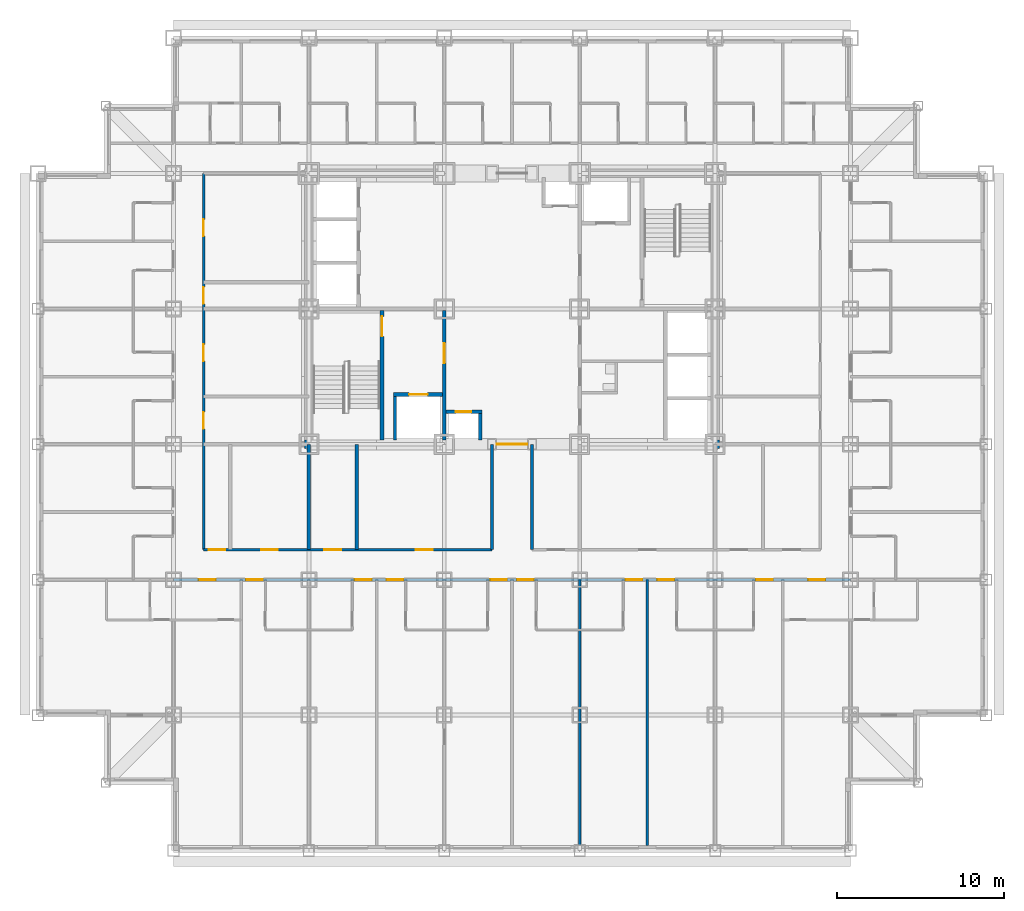
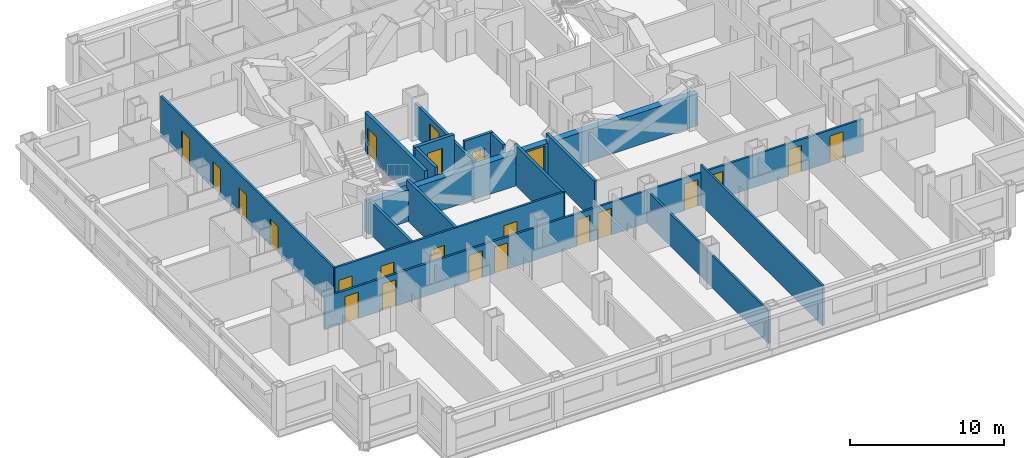
# One storey, part 5 of 13: 23 doors, 16 walls, 23 openings.
"""IFC4 building model written with IfcOpenShell, lengths in metres."""

from ifc_helpers import new_model, si_unit, direction, frame, frame_2d, origin, place, context, subcontext, project, spatial, rectangle, extrude, material, layer, layer_set, type_object, element, fill, save


model = new_model("IFC4")

# Units and contexts
model_context = context("Model", 3, precision=1e-05, world=origin(), true_north=direction((0.0, 1.0)))
body_context = subcontext(model_context, "Body", "Model", "MODEL_VIEW")
ifc_project = project(units=[si_unit("LENGTHUNIT", "METRE"), si_unit("AREAUNIT", "SQUARE_METRE"), si_unit("VOLUMEUNIT", "CUBIC_METRE"), si_unit("PLANEANGLEUNIT", "RADIAN"), si_unit("MASSUNIT", "GRAM", prefix="KILO")], contexts=[model_context])

# Site, building, storey
site_placement = place(None, origin())
site = spatial("IfcSite", under=ifc_project, at=site_placement, CompositionType="ELEMENT")
building_placement = place(site_placement, origin())
building = spatial("IfcBuilding", under=site, at=building_placement, Name="Kopane Lantern Tower", CompositionType="ELEMENT")
storey_placement = place(building_placement, frame((0.0, 0.0, 50.0)))
storey = spatial("IfcBuildingStorey", under=building, at=storey_placement, Name="L11", CompositionType="ELEMENT", Elevation=50.0)

# Wall, opening, door
ifc_material_1 = material(Name="Gypsum shaft wall EI 120", Category="gypsum")
ifc_layer_1 = layer(ifc_material_1, 0.5)
ifc_layer_set_1 = layer_set([ifc_layer_1], Name="CORE PERIMETER WALL 500 EI 120")
wall_type_1 = type_object("IfcWallType", Name="CORE PERIMETER WALL 500 EI 120", PredefinedType="SOLIDWALL", material=ifc_layer_set_1)
wall_1_placement = place(storey_placement, frame((15.949951171875, 24.300048828125, 0.0), z_axis=(0.0, 0.0, 1.0), x_axis=(1.0, 0.0, 0.0)))
wall_1 = element("IfcWall", 1, at=wall_1_placement, inside=storey, type_object=wall_type_1, Name="Core shaft wall L11 PS", PredefinedType="SOLIDWALL", context=body_context, shape_type="SweptSolid", body=[
    extrude(rectangle(XDim=24.800048828125, YDim=0.5, at=frame_2d((12.39990234375, 0.0))), origin(), (0.0, 0.0, 1.0), 2.5400390625),
])
opening_1_placement = place(wall_1_placement, frame((11.5, 0.0, 0.0)))
opening_1 = element("IfcOpeningElement", 2, at=opening_1_placement, cuts=wall_1, Name="Opening 11.CE-S", PredefinedType="OPENING", context=body_context, shape_type="SweptSolid", body=[
    extrude(rectangle(XDim=1.800048828125, YDim=2.39990234375, at=frame_2d((0.89990234375, 1.199951171875))), frame((0.0, 0.260009765625, 0.0), z_axis=(0.0, -1.0, 0.0), x_axis=(1.0, 0.0, 0.0)), (0.0, 0.0, 1.0), 0.52001953125),
])
ifc_material_2 = material(Name="Steel door set", Category="steel")
door_type_1 = type_object("IfcDoorType", Name="CORE ENTRY DOOR 1800x2400 FD60S", OperationType="DOUBLE_DOOR_SINGLE_SWING", PredefinedType="DOOR", material=ifc_material_2)
door_1_placement = place(opening_1_placement, origin())
door_1 = element("IfcDoor", 3, at=door_1_placement, inside=storey, type_object=door_type_1, Name="Core entry door L11 south", OperationType="DOUBLE_DOOR_SINGLE_SWING", OverallHeight=2.39990234375, OverallWidth=1.800048828125, PredefinedType="DOOR", context=body_context, shape_type="SweptSolid", body=[
    extrude(rectangle(XDim=1.800048828125, YDim=2.39990234375, at=frame_2d((0.89990234375, 1.199951171875))), frame((0.0, 0.02490234375, 0.0), z_axis=(0.0, -1.0, 0.0), x_axis=(1.0, 0.0, 0.0)), (0.0, 0.0, 1.0), 0.050048828125),
])
fill(opening_1, door_1)

ifc_material_3 = material(Name="Gypsum shaft wall EI 120", Category="gypsum")
ifc_layer_2 = layer(ifc_material_3, 0.25)
ifc_layer_set_2 = layer_set([ifc_layer_2], Name="CORE SHAFT WALL 250 EI 120")
wall_type_2 = type_object("IfcWallType", Name="CORE SHAFT WALL 250 EI 120", PredefinedType="SOLIDWALL", material=ifc_layer_set_2)
wall_2_placement = place(storey_placement, frame((20.574951171875, 24.550048828125, 0.0), z_axis=(0.0, 0.0, 1.0), x_axis=(0.0, 1.0, 0.0)))
wall_2 = element("IfcWall", 4, at=wall_2_placement, inside=storey, type_object=wall_type_2, Name="Core shaft wall L11 XST1", PredefinedType="SOLIDWALL", context=body_context, shape_type="SweptSolid", body=[
    extrude(rectangle(XDim=7.75, YDim=0.25, at=frame_2d((3.875, 0.0))), origin(), (0.0, 0.0, 1.0), 3.18994140625),
])
opening_2_placement = place(wall_2_placement, frame((6.199951171875, 0.0, 0.0)))
opening_2 = element("IfcOpeningElement", 5, at=opening_2_placement, cuts=wall_2, Name="Opening 11.SD1", PredefinedType="OPENING", context=body_context, shape_type="SweptSolid", body=[
    extrude(rectangle(XDim=1.199951171875, YDim=2.10009765625, at=frame_2d((0.60009765625, 1.050048828125))), frame((0.0, 0.135009765625, 0.0), z_axis=(0.0, -1.0, 0.0), x_axis=(1.0, 0.0, 0.0)), (0.0, 0.0, 1.0), 0.27001953125),
])
ifc_material_4 = material(Name="Steel door set", Category="steel")
door_type_2 = type_object("IfcDoorType", Name="STAIR DOOR 1200x2100 FD60S", OperationType="SINGLE_SWING_LEFT", PredefinedType="DOOR", material=ifc_material_4)
door_2_placement = place(opening_2_placement, origin())
door_2 = element("IfcDoor", 6, at=door_2_placement, inside=storey, type_object=door_type_2, Name="Stair door ST1 L11", OperationType="SINGLE_SWING_LEFT", OverallHeight=2.10009765625, OverallWidth=1.199951171875, PredefinedType="DOOR", context=body_context, shape_type="SweptSolid", body=[
    extrude(rectangle(XDim=1.199951171875, YDim=2.10009765625, at=frame_2d((0.60009765625, 1.050048828125))), frame((0.0, 0.02490234375, 0.0), z_axis=(0.0, -1.0, 0.0), x_axis=(1.0, 0.0, 0.0)), (0.0, 0.0, 1.0), 0.050048828125),
])
fill(opening_2, door_2)

wall_3_placement = place(storey_placement, frame((21.25, 27.27490234375, 0.0), z_axis=(0.0, 0.0, 1.0), x_axis=(1.0, 0.0, 0.0)))
wall_3 = element("IfcWall", 7, at=wall_3_placement, inside=storey, type_object=wall_type_2, Name="Core shaft wall L11 YLF1", PredefinedType="SOLIDWALL", context=body_context, shape_type="SweptSolid", body=[
    extrude(rectangle(XDim=2.949951171875, YDim=0.25, at=frame_2d((1.47509765625, 0.0))), origin(), (0.0, 0.0, 1.0), 3.18994140625),
])
opening_3_placement = place(wall_3_placement, frame((0.949951171875, 0.0, 0.0)))
opening_3 = element("IfcOpeningElement", 8, at=opening_3_placement, cuts=wall_3, Name="Opening 11.LD-LF1", PredefinedType="OPENING", context=body_context, shape_type="SweptSolid", body=[
    extrude(rectangle(XDim=1.10009765625, YDim=2.39990234375, at=frame_2d((0.550048828125, 1.199951171875))), frame((0.0, 0.135009765625, 0.0), z_axis=(0.0, -1.0, 0.0), x_axis=(1.0, 0.0, 0.0)), (0.0, 0.0, 1.0), 0.27001953125),
])
ifc_material_5 = material(Name="Steel door set", Category="steel")
door_type_3 = type_object("IfcDoorType", Name="LIFT LANDING DOOR 1100x2400 FD60", OperationType="DOUBLE_DOOR_SLIDING", PredefinedType="DOOR", material=ifc_material_5)
door_3_placement = place(opening_3_placement, origin())
door_3 = element("IfcDoor", 9, at=door_3_placement, inside=storey, type_object=door_type_3, Name="Landing door LF1 L11", OperationType="DOUBLE_DOOR_SLIDING", OverallHeight=2.39990234375, OverallWidth=1.10009765625, PredefinedType="DOOR", context=body_context, shape_type="SweptSolid", body=[
    extrude(rectangle(XDim=1.10009765625, YDim=2.39990234375, at=frame_2d((0.550048828125, 1.199951171875))), frame((0.0, 0.02490234375, 0.0), z_axis=(0.0, -1.0, 0.0), x_axis=(1.0, 0.0, 0.0)), (0.0, 0.0, 1.0), 0.050048828125),
])
fill(opening_3, door_3)

# Wall, openings, doors
ifc_material_6 = material(Name="Gypsum board on steel studs", Category="steel")
ifc_layer_3 = layer(ifc_material_6, 0.14990234375)
ifc_layer_set_3 = layer_set([ifc_layer_3], Name="CORRIDOR WALL 150 EI 60")
wall_type_3 = type_object("IfcWallType", Name="CORRIDOR WALL 150 EI 60", PredefinedType="PARTITIONING", material=ifc_layer_set_3)
wall_4_placement = place(storey_placement, frame((8.10009765625, 16.199951171875, 0.0), z_axis=(0.0, 0.0, 1.0), x_axis=(1.0, 0.0, 0.0)))
wall_4 = element("IfcWall", 10, at=wall_4_placement, inside=storey, type_object=wall_type_3, Name="Corridor Wall 150 Ei 60 L11", PredefinedType="PARTITIONING", context=body_context, shape_type="SweptSolid", body=[
    extrude(rectangle(XDim=40.5, YDim=0.14990234375, at=frame_2d((20.25, 0.0))), origin(), (0.0, 0.0, 1.0), 2.577880859375),
])
opening_4_placement = place(wall_4_placement, frame((4.35009765625, 0.0, 0.0)))
opening_4 = element("IfcOpeningElement", 11, at=opening_4_placement, cuts=wall_4, Name="Opening L11-017", PredefinedType="OPENING", context=body_context, shape_type="SweptSolid", body=[
    extrude(rectangle(XDim=1.0, YDim=2.10009765625, at=frame_2d((0.5, 1.050048828125))), frame((0.0, 0.0849609375, 0.0), z_axis=(0.0, -1.0, 0.0), x_axis=(1.0, 0.0, 0.0)), (0.0, 0.0, 1.0), 0.169921875),
])
opening_5_placement = place(wall_4_placement, frame((10.85009765625, 0.0, 0.0)))
opening_5 = element("IfcOpeningElement", 12, at=opening_5_placement, cuts=wall_4, Name="Opening L11-019", PredefinedType="OPENING", context=body_context, shape_type="SweptSolid", body=[
    extrude(rectangle(XDim=1.0, YDim=2.10009765625, at=frame_2d((0.5, 1.050048828125))), frame((0.0, 0.0849609375, 0.0), z_axis=(0.0, -1.0, 0.0), x_axis=(1.0, 0.0, 0.0)), (0.0, 0.0, 1.0), 0.169921875),
])
opening_6_placement = place(wall_4_placement, frame((12.75, 0.0, 0.0)))
opening_6 = element("IfcOpeningElement", 13, at=opening_6_placement, cuts=wall_4, Name="Opening L11-021", PredefinedType="OPENING", context=body_context, shape_type="SweptSolid", body=[
    extrude(rectangle(XDim=1.0, YDim=2.10009765625, at=frame_2d((0.5, 1.050048828125))), frame((0.0, 0.0849609375, 0.0), z_axis=(0.0, -1.0, 0.0), x_axis=(1.0, 0.0, 0.0)), (0.0, 0.0, 1.0), 0.169921875),
])
opening_7_placement = place(wall_4_placement, frame((18.949951171875, 0.0, 0.0)))
opening_7 = element("IfcOpeningElement", 14, at=opening_7_placement, cuts=wall_4, Name="Opening L11-023", PredefinedType="OPENING", context=body_context, shape_type="SweptSolid", body=[
    extrude(rectangle(XDim=1.0, YDim=2.10009765625, at=frame_2d((0.5, 1.050048828125))), frame((0.0, 0.0849609375, 0.0), z_axis=(0.0, -1.0, 0.0), x_axis=(1.0, 0.0, 0.0)), (0.0, 0.0, 1.0), 0.169921875),
])
opening_8_placement = place(wall_4_placement, frame((20.550048828125, 0.0, 0.0)))
opening_8 = element("IfcOpeningElement", 15, at=opening_8_placement, cuts=wall_4, Name="Opening L11-026", PredefinedType="OPENING", context=body_context, shape_type="SweptSolid", body=[
    extrude(rectangle(XDim=1.0, YDim=2.10009765625, at=frame_2d((0.5, 1.050048828125))), frame((0.0, 0.0849609375, 0.0), z_axis=(0.0, -1.0, 0.0), x_axis=(1.0, 0.0, 0.0)), (0.0, 0.0, 1.0), 0.169921875),
])
opening_9_placement = place(wall_4_placement, frame((27.050048828125, 0.0, 0.0)))
opening_9 = element("IfcOpeningElement", 16, at=opening_9_placement, cuts=wall_4, Name="Opening L11-028", PredefinedType="OPENING", context=body_context, shape_type="SweptSolid", body=[
    extrude(rectangle(XDim=1.0, YDim=2.10009765625, at=frame_2d((0.5, 1.050048828125))), frame((0.0, 0.0849609375, 0.0), z_axis=(0.0, -1.0, 0.0), x_axis=(1.0, 0.0, 0.0)), (0.0, 0.0, 1.0), 0.169921875),
])
opening_10_placement = place(wall_4_placement, frame((28.949951171875, 0.0, 0.0)))
opening_10 = element("IfcOpeningElement", 17, at=opening_10_placement, cuts=wall_4, Name="Opening L11-030", PredefinedType="OPENING", context=body_context, shape_type="SweptSolid", body=[
    extrude(rectangle(XDim=1.0, YDim=2.10009765625, at=frame_2d((0.5, 1.050048828125))), frame((0.0, 0.0849609375, 0.0), z_axis=(0.0, -1.0, 0.0), x_axis=(1.0, 0.0, 0.0)), (0.0, 0.0, 1.0), 0.169921875),
])
opening_11_placement = place(wall_4_placement, frame((34.85009765625, 0.0, 0.0)))
opening_11 = element("IfcOpeningElement", 18, at=opening_11_placement, cuts=wall_4, Name="Opening L11-032", PredefinedType="OPENING", context=body_context, shape_type="SweptSolid", body=[
    extrude(rectangle(XDim=1.0, YDim=2.10009765625, at=frame_2d((0.5, 1.050048828125))), frame((0.0, 0.0849609375, 0.0), z_axis=(0.0, -1.0, 0.0), x_axis=(1.0, 0.0, 0.0)), (0.0, 0.0, 1.0), 0.169921875),
])
opening_12_placement = place(wall_4_placement, frame((1.52490234375, 0.0, 0.0)))
opening_12 = element("IfcOpeningElement", 19, at=opening_12_placement, cuts=wall_4, Name="Opening L11-073", PredefinedType="OPENING", context=body_context, shape_type="SweptSolid", body=[
    extrude(rectangle(XDim=1.0, YDim=2.10009765625, at=frame_2d((0.5, 1.050048828125))), frame((0.0, 0.0849609375, 0.0), z_axis=(0.0, -1.0, 0.0), x_axis=(1.0, 0.0, 0.0)), (0.0, 0.0, 1.0), 0.169921875),
])
opening_13_placement = place(wall_4_placement, frame((37.97509765625, 0.0, 0.0)))
opening_13 = element("IfcOpeningElement", 20, at=opening_13_placement, cuts=wall_4, Name="Opening L11-078", PredefinedType="OPENING", context=body_context, shape_type="SweptSolid", body=[
    extrude(rectangle(XDim=1.0, YDim=2.10009765625, at=frame_2d((0.5, 1.050048828125))), frame((0.0, 0.0849609375, 0.0), z_axis=(0.0, -1.0, 0.0), x_axis=(1.0, 0.0, 0.0)), (0.0, 0.0, 1.0), 0.169921875),
])
ifc_material_7 = material(Name="Steel door set", Category="steel")
door_type_4 = type_object("IfcDoorType", Name="DOOR D1 1000x2100 FD30S", OperationType="SINGLE_SWING_LEFT", PredefinedType="DOOR", material=ifc_material_7)
door_4_placement = place(opening_4_placement, origin())
door_4 = element("IfcDoor", 21, at=door_4_placement, inside=storey, type_object=door_type_4, Name="Door L11-017", OperationType="SINGLE_SWING_LEFT", OverallHeight=2.10009765625, OverallWidth=1.0, PredefinedType="DOOR", context=body_context, shape_type="SweptSolid", body=[
    extrude(rectangle(XDim=1.0, YDim=2.10009765625, at=frame_2d((0.5, 1.050048828125))), frame((0.0, 0.02490234375, 0.0), z_axis=(0.0, -1.0, 0.0), x_axis=(1.0, 0.0, 0.0)), (0.0, 0.0, 1.0), 0.050048828125),
])
fill(opening_4, door_4)
door_5_placement = place(opening_5_placement, origin())
door_5 = element("IfcDoor", 22, at=door_5_placement, inside=storey, type_object=door_type_4, Name="Door L11-019", OperationType="SINGLE_SWING_RIGHT", OverallHeight=2.10009765625, OverallWidth=1.0, PredefinedType="DOOR", context=body_context, shape_type="SweptSolid", body=[
    extrude(rectangle(XDim=1.0, YDim=2.10009765625, at=frame_2d((0.5, 1.050048828125))), frame((0.0, 0.02490234375, 0.0), z_axis=(0.0, -1.0, 0.0), x_axis=(1.0, 0.0, 0.0)), (0.0, 0.0, 1.0), 0.050048828125),
])
fill(opening_5, door_5)
door_6_placement = place(opening_6_placement, origin())
door_6 = element("IfcDoor", 23, at=door_6_placement, inside=storey, type_object=door_type_4, Name="Door L11-021", OperationType="SINGLE_SWING_LEFT", OverallHeight=2.10009765625, OverallWidth=1.0, PredefinedType="DOOR", context=body_context, shape_type="SweptSolid", body=[
    extrude(rectangle(XDim=1.0, YDim=2.10009765625, at=frame_2d((0.5, 1.050048828125))), frame((0.0, 0.02490234375, 0.0), z_axis=(0.0, -1.0, 0.0), x_axis=(1.0, 0.0, 0.0)), (0.0, 0.0, 1.0), 0.050048828125),
])
fill(opening_6, door_6)
door_7_placement = place(opening_7_placement, origin())
door_7 = element("IfcDoor", 24, at=door_7_placement, inside=storey, type_object=door_type_4, Name="Door L11-023", OperationType="SINGLE_SWING_RIGHT", OverallHeight=2.10009765625, OverallWidth=1.0, PredefinedType="DOOR", context=body_context, shape_type="SweptSolid", body=[
    extrude(rectangle(XDim=1.0, YDim=2.10009765625, at=frame_2d((0.5, 1.050048828125))), frame((0.0, 0.02490234375, 0.0), z_axis=(0.0, -1.0, 0.0), x_axis=(1.0, 0.0, 0.0)), (0.0, 0.0, 1.0), 0.050048828125),
])
fill(opening_7, door_7)
door_8_placement = place(opening_8_placement, origin())
door_8 = element("IfcDoor", 25, at=door_8_placement, inside=storey, type_object=door_type_4, Name="Door L11-026", OperationType="SINGLE_SWING_LEFT", OverallHeight=2.10009765625, OverallWidth=1.0, PredefinedType="DOOR", context=body_context, shape_type="SweptSolid", body=[
    extrude(rectangle(XDim=1.0, YDim=2.10009765625, at=frame_2d((0.5, 1.050048828125))), frame((0.0, 0.02490234375, 0.0), z_axis=(0.0, -1.0, 0.0), x_axis=(1.0, 0.0, 0.0)), (0.0, 0.0, 1.0), 0.050048828125),
])
fill(opening_8, door_8)
door_9_placement = place(opening_9_placement, origin())
door_9 = element("IfcDoor", 26, at=door_9_placement, inside=storey, type_object=door_type_4, Name="Door L11-028", OperationType="SINGLE_SWING_RIGHT", OverallHeight=2.10009765625, OverallWidth=1.0, PredefinedType="DOOR", context=body_context, shape_type="SweptSolid", body=[
    extrude(rectangle(XDim=1.0, YDim=2.10009765625, at=frame_2d((0.5, 1.050048828125))), frame((0.0, 0.02490234375, 0.0), z_axis=(0.0, -1.0, 0.0), x_axis=(1.0, 0.0, 0.0)), (0.0, 0.0, 1.0), 0.050048828125),
])
fill(opening_9, door_9)
door_10_placement = place(opening_10_placement, origin())
door_10 = element("IfcDoor", 27, at=door_10_placement, inside=storey, type_object=door_type_4, Name="Door L11-030", OperationType="SINGLE_SWING_LEFT", OverallHeight=2.10009765625, OverallWidth=1.0, PredefinedType="DOOR", context=body_context, shape_type="SweptSolid", body=[
    extrude(rectangle(XDim=1.0, YDim=2.10009765625, at=frame_2d((0.5, 1.050048828125))), frame((0.0, 0.02490234375, 0.0), z_axis=(0.0, -1.0, 0.0), x_axis=(1.0, 0.0, 0.0)), (0.0, 0.0, 1.0), 0.050048828125),
])
fill(opening_10, door_10)
door_11_placement = place(opening_11_placement, origin())
door_11 = element("IfcDoor", 28, at=door_11_placement, inside=storey, type_object=door_type_4, Name="Door L11-032", OperationType="SINGLE_SWING_RIGHT", OverallHeight=2.10009765625, OverallWidth=1.0, PredefinedType="DOOR", context=body_context, shape_type="SweptSolid", body=[
    extrude(rectangle(XDim=1.0, YDim=2.10009765625, at=frame_2d((0.5, 1.050048828125))), frame((0.0, 0.02490234375, 0.0), z_axis=(0.0, -1.0, 0.0), x_axis=(1.0, 0.0, 0.0)), (0.0, 0.0, 1.0), 0.050048828125),
])
fill(opening_11, door_11)
door_12_placement = place(opening_12_placement, origin())
door_12 = element("IfcDoor", 29, at=door_12_placement, inside=storey, type_object=door_type_4, Name="Door L11-073", OperationType="SINGLE_SWING_LEFT", OverallHeight=2.10009765625, OverallWidth=1.0, PredefinedType="DOOR", context=body_context, shape_type="SweptSolid", body=[
    extrude(rectangle(XDim=1.0, YDim=2.10009765625, at=frame_2d((0.5, 1.050048828125))), frame((0.0, 0.02490234375, 0.0), z_axis=(0.0, -1.0, 0.0), x_axis=(1.0, 0.0, 0.0)), (0.0, 0.0, 1.0), 0.050048828125),
])
fill(opening_12, door_12)
door_13_placement = place(opening_13_placement, origin())
door_13 = element("IfcDoor", 30, at=door_13_placement, inside=storey, type_object=door_type_4, Name="Door L11-078", OperationType="SINGLE_SWING_RIGHT", OverallHeight=2.10009765625, OverallWidth=1.0, PredefinedType="DOOR", context=body_context, shape_type="SweptSolid", body=[
    extrude(rectangle(XDim=1.0, YDim=2.10009765625, at=frame_2d((0.5, 1.050048828125))), frame((0.0, 0.02490234375, 0.0), z_axis=(0.0, -1.0, 0.0), x_axis=(1.0, 0.0, 0.0)), (0.0, 0.0, 1.0), 0.050048828125),
])
fill(opening_13, door_13)

wall_5_placement = place(storey_placement, frame((9.89990234375, 40.5, 0.0), z_axis=(0.0, 0.0, 1.0), x_axis=(0.0, -1.0, 0.0)))
wall_5 = element("IfcWall", 31, at=wall_5_placement, inside=storey, type_object=wall_type_3, Name="Corridor Wall 150 Ei 60 L11", PredefinedType="PARTITIONING", context=body_context, shape_type="SweptSolid", body=[
    extrude(rectangle(XDim=22.5, YDim=0.14990234375, at=frame_2d((11.25, 0.0))), origin(), (0.0, 0.0, 1.0), 3.18994140625),
])
opening_14_placement = place(wall_5_placement, frame((14.271484375, 0.0, 0.0)))
opening_14 = element("IfcOpeningElement", 32, at=opening_14_placement, cuts=wall_5, Name="Opening L11-001", PredefinedType="OPENING", context=body_context, shape_type="SweptSolid", body=[
    extrude(rectangle(XDim=1.0, YDim=2.10009765625, at=frame_2d((0.5, 1.050048828125))), frame((0.0, 0.0849609375, 0.0), z_axis=(0.0, -1.0, 0.0), x_axis=(1.0, 0.0, 0.0)), (0.0, 0.0, 1.0), 0.169921875),
])
opening_15_placement = place(wall_5_placement, frame((10.221435546875, 0.0, 0.0)))
opening_15 = element("IfcOpeningElement", 33, at=opening_15_placement, cuts=wall_5, Name="Opening L11-002", PredefinedType="OPENING", context=body_context, shape_type="SweptSolid", body=[
    extrude(rectangle(XDim=1.0, YDim=2.10009765625, at=frame_2d((0.5, 1.050048828125))), frame((0.0, 0.0849609375, 0.0), z_axis=(0.0, -1.0, 0.0), x_axis=(1.0, 0.0, 0.0)), (0.0, 0.0, 1.0), 0.169921875),
])
opening_16_placement = place(wall_5_placement, frame((6.800048828125, 0.0, 0.0)))
opening_16 = element("IfcOpeningElement", 34, at=opening_16_placement, cuts=wall_5, Name="Opening L11-003", PredefinedType="OPENING", context=body_context, shape_type="SweptSolid", body=[
    extrude(rectangle(XDim=1.0, YDim=2.10009765625, at=frame_2d((0.5, 1.050048828125))), frame((0.0, 0.0849609375, 0.0), z_axis=(0.0, -1.0, 0.0), x_axis=(1.0, 0.0, 0.0)), (0.0, 0.0, 1.0), 0.169921875),
])
opening_17_placement = place(wall_5_placement, frame((2.75, 0.0, 0.0)))
opening_17 = element("IfcOpeningElement", 35, at=opening_17_placement, cuts=wall_5, Name="Opening L11-004", PredefinedType="OPENING", context=body_context, shape_type="SweptSolid", body=[
    extrude(rectangle(XDim=1.0, YDim=2.10009765625, at=frame_2d((0.5, 1.050048828125))), frame((0.0, 0.0849609375, 0.0), z_axis=(0.0, -1.0, 0.0), x_axis=(1.0, 0.0, 0.0)), (0.0, 0.0, 1.0), 0.169921875),
])
ifc_material_8 = material(Name="Steel door set", Category="steel")
door_type_5 = type_object("IfcDoorType", Name="DOOR D5 1000x2100 FD60", OperationType="SINGLE_SWING_LEFT", PredefinedType="DOOR", material=ifc_material_8)
door_14_placement = place(opening_14_placement, origin())
door_14 = element("IfcDoor", 36, at=door_14_placement, inside=storey, type_object=door_type_5, Name="Door L11-001", OperationType="SINGLE_SWING_RIGHT", OverallHeight=2.10009765625, OverallWidth=1.0, PredefinedType="DOOR", context=body_context, shape_type="SweptSolid", body=[
    extrude(rectangle(XDim=1.0, YDim=2.10009765625, at=frame_2d((0.5, 1.050048828125))), frame((0.0, 0.02490234375, 0.0), z_axis=(0.0, -1.0, 0.0), x_axis=(1.0, 0.0, 0.0)), (0.0, 0.0, 1.0), 0.050048828125),
])
fill(opening_14, door_14)
door_15_placement = place(opening_15_placement, origin())
door_15 = element("IfcDoor", 37, at=door_15_placement, inside=storey, type_object=door_type_5, Name="Door L11-002", OperationType="SINGLE_SWING_LEFT", OverallHeight=2.10009765625, OverallWidth=1.0, PredefinedType="DOOR", context=body_context, shape_type="SweptSolid", body=[
    extrude(rectangle(XDim=1.0, YDim=2.10009765625, at=frame_2d((0.5, 1.050048828125))), frame((0.0, 0.02490234375, 0.0), z_axis=(0.0, -1.0, 0.0), x_axis=(1.0, 0.0, 0.0)), (0.0, 0.0, 1.0), 0.050048828125),
])
fill(opening_15, door_15)
door_16_placement = place(opening_16_placement, origin())
door_16 = element("IfcDoor", 38, at=door_16_placement, inside=storey, type_object=door_type_5, Name="Door L11-003", OperationType="SINGLE_SWING_RIGHT", OverallHeight=2.10009765625, OverallWidth=1.0, PredefinedType="DOOR", context=body_context, shape_type="SweptSolid", body=[
    extrude(rectangle(XDim=1.0, YDim=2.10009765625, at=frame_2d((0.5, 1.050048828125))), frame((0.0, 0.02490234375, 0.0), z_axis=(0.0, -1.0, 0.0), x_axis=(1.0, 0.0, 0.0)), (0.0, 0.0, 1.0), 0.050048828125),
])
fill(opening_16, door_16)
door_17_placement = place(opening_17_placement, origin())
door_17 = element("IfcDoor", 39, at=door_17_placement, inside=storey, type_object=door_type_5, Name="Door L11-004", OperationType="SINGLE_SWING_LEFT", OverallHeight=2.10009765625, OverallWidth=1.0, PredefinedType="DOOR", context=body_context, shape_type="SweptSolid", body=[
    extrude(rectangle(XDim=1.0, YDim=2.10009765625, at=frame_2d((0.5, 1.050048828125))), frame((0.0, 0.02490234375, 0.0), z_axis=(0.0, -1.0, 0.0), x_axis=(1.0, 0.0, 0.0)), (0.0, 0.0, 1.0), 0.050048828125),
])
fill(opening_17, door_17)

wall_6_placement = place(storey_placement, frame((9.89990234375, 18.0, 0.0), z_axis=(0.0, 0.0, 1.0), x_axis=(1.0, 0.0, 0.0)))
wall_6 = element("IfcWall", 40, at=wall_6_placement, inside=storey, type_object=wall_type_3, Name="Corridor Wall 150 Ei 60 L11", PredefinedType="PARTITIONING", context=body_context, shape_type="SweptSolid", body=[
    extrude(rectangle(XDim=17.239990234375, YDim=0.14990234375, at=frame_2d((8.6201171875, 0.0))), origin(), (0.0, 0.0, 1.0), 3.18994140625),
])
opening_18_placement = place(wall_6_placement, frame((0.300048828125, 0.0, 0.0)))
opening_18 = element("IfcOpeningElement", 41, at=opening_18_placement, cuts=wall_6, Name="Opening L11-008", PredefinedType="OPENING", context=body_context, shape_type="SweptSolid", body=[
    extrude(rectangle(XDim=1.0, YDim=2.10009765625, at=frame_2d((0.5, 1.050048828125))), frame((0.0, 0.0849609375, 0.0), z_axis=(0.0, -1.0, 0.0), x_axis=(1.0, 0.0, 0.0)), (0.0, 0.0, 1.0), 0.169921875),
])
opening_19_placement = place(wall_6_placement, frame((3.449951171875, 0.0, 0.0)))
opening_19 = element("IfcOpeningElement", 42, at=opening_19_placement, cuts=wall_6, Name="Opening L11-009", PredefinedType="OPENING", context=body_context, shape_type="SweptSolid", body=[
    extrude(rectangle(XDim=1.0, YDim=2.10009765625, at=frame_2d((0.5, 1.050048828125))), frame((0.0, 0.0849609375, 0.0), z_axis=(0.0, -1.0, 0.0), x_axis=(1.0, 0.0, 0.0)), (0.0, 0.0, 1.0), 0.169921875),
])
opening_20_placement = place(wall_6_placement, frame((7.228515625, 0.0, 0.0)))
opening_20 = element("IfcOpeningElement", 43, at=opening_20_placement, cuts=wall_6, Name="Opening L11-010", PredefinedType="OPENING", context=body_context, shape_type="SweptSolid", body=[
    extrude(rectangle(XDim=1.0, YDim=2.10009765625, at=frame_2d((0.5, 1.050048828125))), frame((0.0, 0.0849609375, 0.0), z_axis=(0.0, -1.0, 0.0), x_axis=(1.0, 0.0, 0.0)), (0.0, 0.0, 1.0), 0.169921875),
])
opening_21_placement = place(wall_6_placement, frame((12.70361328125, 0.0, 0.0)))
opening_21 = element("IfcOpeningElement", 44, at=opening_21_placement, cuts=wall_6, Name="Opening L11-011", PredefinedType="OPENING", context=body_context, shape_type="SweptSolid", body=[
    extrude(rectangle(XDim=1.0, YDim=2.10009765625, at=frame_2d((0.5, 1.050048828125))), frame((0.0, 0.0849609375, 0.0), z_axis=(0.0, -1.0, 0.0), x_axis=(1.0, 0.0, 0.0)), (0.0, 0.0, 1.0), 0.169921875),
])
door_18_placement = place(opening_18_placement, origin())
door_18 = element("IfcDoor", 45, at=door_18_placement, inside=storey, type_object=door_type_5, Name="Door L11-008", OperationType="SINGLE_SWING_LEFT", OverallHeight=2.10009765625, OverallWidth=1.0, PredefinedType="DOOR", context=body_context, shape_type="SweptSolid", body=[
    extrude(rectangle(XDim=1.0, YDim=2.10009765625, at=frame_2d((0.5, 1.050048828125))), frame((0.0, 0.02490234375, 0.0), z_axis=(0.0, -1.0, 0.0), x_axis=(1.0, 0.0, 0.0)), (0.0, 0.0, 1.0), 0.050048828125),
])
fill(opening_18, door_18)
door_19_placement = place(opening_19_placement, origin())
door_19 = element("IfcDoor", 46, at=door_19_placement, inside=storey, type_object=door_type_5, Name="Door L11-009", OperationType="SINGLE_SWING_RIGHT", OverallHeight=2.10009765625, OverallWidth=1.0, PredefinedType="DOOR", context=body_context, shape_type="SweptSolid", body=[
    extrude(rectangle(XDim=1.0, YDim=2.10009765625, at=frame_2d((0.5, 1.050048828125))), frame((0.0, 0.02490234375, 0.0), z_axis=(0.0, -1.0, 0.0), x_axis=(1.0, 0.0, 0.0)), (0.0, 0.0, 1.0), 0.050048828125),
])
fill(opening_19, door_19)
door_20_placement = place(opening_20_placement, origin())
door_20 = element("IfcDoor", 47, at=door_20_placement, inside=storey, type_object=door_type_5, Name="Door L11-010", OperationType="SINGLE_SWING_LEFT", OverallHeight=2.10009765625, OverallWidth=1.0, PredefinedType="DOOR", context=body_context, shape_type="SweptSolid", body=[
    extrude(rectangle(XDim=1.0, YDim=2.10009765625, at=frame_2d((0.5, 1.050048828125))), frame((0.0, 0.02490234375, 0.0), z_axis=(0.0, -1.0, 0.0), x_axis=(1.0, 0.0, 0.0)), (0.0, 0.0, 1.0), 0.050048828125),
])
fill(opening_20, door_20)
door_21_placement = place(opening_21_placement, origin())
door_21 = element("IfcDoor", 48, at=door_21_placement, inside=storey, type_object=door_type_5, Name="Door L11-011", OperationType="SINGLE_SWING_RIGHT", OverallHeight=2.10009765625, OverallWidth=1.0, PredefinedType="DOOR", context=body_context, shape_type="SweptSolid", body=[
    extrude(rectangle(XDim=1.0, YDim=2.10009765625, at=frame_2d((0.5, 1.050048828125))), frame((0.0, 0.02490234375, 0.0), z_axis=(0.0, -1.0, 0.0), x_axis=(1.0, 0.0, 0.0)), (0.0, 0.0, 1.0), 0.050048828125),
])
fill(opening_21, door_21)

# Walls
ifc_material_9 = material(Name="Gypsum board on steel studs", Category="steel")
ifc_layer_4 = layer(ifc_material_9, 0.14990234375)
ifc_layer_set_4 = layer_set([ifc_layer_4], Name="DEMISING WALL 150 EI 60")
wall_type_4 = type_object("IfcWallType", Name="DEMISING WALL 150 EI 60", PredefinedType="PARTITIONING", material=ifc_layer_set_4)
wall_7_placement = place(storey_placement, frame((32.39990234375, 16.199951171875, 0.0), z_axis=(0.0, 0.0, 1.0), x_axis=(0.0, -1.0, 0.0)))
element("IfcWall", 49, at=wall_7_placement, inside=storey, type_object=wall_type_4, Name="Demising Wall 150 Ei 60 L11", PredefinedType="PARTITIONING", context=body_context, shape_type="SweptSolid", body=[
    extrude(rectangle(XDim=15.89990234375, YDim=0.14990234375, at=frame_2d((7.949951171875, 0.0))), origin(), (0.0, 0.0, 1.0), 2.577880859375),
])
wall_8_placement = place(storey_placement, frame((36.449951171875, 16.199951171875, 0.0), z_axis=(0.0, 0.0, 1.0), x_axis=(0.0, -1.0, 0.0)))
element("IfcWall", 50, at=wall_8_placement, inside=storey, type_object=wall_type_4, Name="Demising Wall 150 Ei 60 L11", PredefinedType="PARTITIONING", context=body_context, shape_type="SweptSolid", body=[
    extrude(rectangle(XDim=15.89990234375, YDim=0.14990234375, at=frame_2d((7.949951171875, 0.0))), origin(), (0.0, 0.0, 1.0), 3.18994140625),
])
ifc_material_10 = material(Name="Concrete masonry", Category="masonry")
ifc_layer_5 = layer(ifc_material_10, 0.199951171875)
ifc_layer_set_5 = layer_set([ifc_layer_5], Name="PLANT ROOM WALL 200 EI 120")
wall_type_5 = type_object("IfcWallType", Name="PLANT ROOM WALL 200 EI 120", PredefinedType="SOLIDWALL", material=ifc_layer_set_5)
wall_9_placement = place(storey_placement, frame((16.199951171875, 18.0, 0.0), z_axis=(0.0, 0.0, 1.0), x_axis=(0.0, 1.0, 0.0)))
element("IfcWall", 51, at=wall_9_placement, inside=storey, type_object=wall_type_5, Name="Plant Room Wall 200 Ei 120 L11", PredefinedType="SOLIDWALL", context=body_context, shape_type="SweptSolid", body=[
    extrude(rectangle(XDim=6.300048828125, YDim=0.199951171875, at=frame_2d((3.14990234375, 0.0))), origin(), (0.0, 0.0, 1.0), 2.577880859375),
])
for number, where, z_axis, x_axis, name in (
    (52, (19.05712890625, 18.0, 0.0), (0.0, 0.0, 1.0), (0.0, 1.0, 0.0), "Plant Room Wall 200 Ei 120 L11"),
    (53, (27.14990234375, 18.0, 0.0), (0.0, 0.0, 1.0), (0.0, 1.0, 0.0), "Plant Room Wall 200 Ei 120 L11"),
    (54, (29.550048828125, 18.0, 0.0), (0.0, 0.0, 1.0), (0.0, 1.0, 0.0), "Plant Room Wall 200 Ei 120 L11"),
):
    element("IfcWall", number, at=place(storey_placement, frame(where, z_axis=z_axis, x_axis=x_axis)), inside=storey, type_object=wall_type_5, Name=name, PredefinedType="SOLIDWALL", context=body_context, shape_type="SweptSolid", body=[
        extrude(rectangle(XDim=6.300048828125, YDim=0.199951171875, at=frame_2d((3.14990234375, 0.0))), origin(), (0.0, 0.0, 1.0), 3.18994140625),
    ])

# Wall, opening, door
ifc_material_11 = material(Name="Gypsum shaft wall EI 120", Category="gypsum")
ifc_layer_6 = layer(ifc_material_11, 0.199951171875)
ifc_layer_set_6 = layer_set([ifc_layer_6], Name="SHAFT WALL 200 EI 120")
wall_type_6 = type_object("IfcWallType", Name="SHAFT WALL 200 EI 120", PredefinedType="SOLIDWALL", material=ifc_layer_set_6)
wall_10_placement = place(storey_placement, frame((24.300048828125, 24.550048828125, 0.0), z_axis=(0.0, 0.0, 1.0), x_axis=(0.0, 1.0, 0.0)))
wall_10 = element("IfcWall", 55, at=wall_10_placement, inside=storey, type_object=wall_type_6, Name="Core shaft wall L11 X243", PredefinedType="SOLIDWALL", context=body_context, shape_type="SweptSolid", body=[
    extrude(rectangle(XDim=7.75, YDim=0.199951171875, at=frame_2d((3.875, 0.0))), origin(), (0.0, 0.0, 1.0), 2.577880859375),
])
opening_22_placement = place(wall_10_placement, frame((4.60009765625, 0.0, 0.0)))
opening_22 = element("IfcOpeningElement", 56, at=opening_22_placement, cuts=wall_10, Name="Opening 11.FL1", PredefinedType="OPENING", context=body_context, shape_type="SweptSolid", body=[
    extrude(rectangle(XDim=1.199951171875, YDim=2.10009765625, at=frame_2d((0.60009765625, 1.050048828125))), frame((0.0, 0.10986328125, 0.0), z_axis=(0.0, -1.0, 0.0), x_axis=(1.0, 0.0, 0.0)), (0.0, 0.0, 1.0), 0.219970703125),
])
ifc_material_12 = material(Name="Steel door set", Category="steel")
door_type_6 = type_object("IfcDoorType", Name="FIREFIGHTING LOBBY DOOR 1200x2100 FD60S", OperationType="SINGLE_SWING_RIGHT", PredefinedType="DOOR", material=ifc_material_12)
door_22_placement = place(opening_22_placement, origin())
door_22 = element("IfcDoor", 57, at=door_22_placement, inside=storey, type_object=door_type_6, Name="Firefighting lobby door FL1 L11", OperationType="SINGLE_SWING_LEFT", OverallHeight=2.10009765625, OverallWidth=1.199951171875, PredefinedType="DOOR", context=body_context, shape_type="SweptSolid", body=[
    extrude(rectangle(XDim=1.199951171875, YDim=2.10009765625, at=frame_2d((0.60009765625, 1.050048828125))), frame((0.0, 0.02490234375, 0.0), z_axis=(0.0, -1.0, 0.0), x_axis=(1.0, 0.0, 0.0)), (0.0, 0.0, 1.0), 0.050048828125),
])
fill(opening_22, door_22)

# Walls
wall_11_placement = place(storey_placement, frame((21.35009765625, 24.550048828125, 0.0), z_axis=(0.0, 0.0, 1.0), x_axis=(0.0, 1.0, 0.0)))
element("IfcWall", 58, at=wall_11_placement, inside=storey, type_object=wall_type_6, Name="Core shaft wall L11 XLF1", PredefinedType="SOLIDWALL", context=body_context, shape_type="SweptSolid", body=[
    extrude(rectangle(XDim=2.599853515625, YDim=0.199951171875, at=frame_2d((1.2998046875, 0.0))), origin(), (0.0, 0.0, 1.0), 3.18994140625),
])
wall_12_placement = place(storey_placement, frame((26.449951171875, 24.550048828125, 0.0), z_axis=(0.0, 0.0, 1.0), x_axis=(0.0, 1.0, 0.0)))
element("IfcWall", 59, at=wall_12_placement, inside=storey, type_object=wall_type_6, Name="Core shaft wall L11 XRS1", PredefinedType="SOLIDWALL", context=body_context, shape_type="SweptSolid", body=[
    extrude(rectangle(XDim=1.599853515625, YDim=0.199951171875, at=frame_2d((0.7998046875, 0.0))), origin(), (0.0, 0.0, 1.0), 3.18994140625),
])

# Wall, opening, door
wall_13_placement = place(storey_placement, frame((24.39990234375, 26.25, 0.0), z_axis=(0.0, 0.0, 1.0), x_axis=(1.0, 0.0, 0.0)))
wall_13 = element("IfcWall", 60, at=wall_13_placement, inside=storey, type_object=wall_type_6, Name="Core shaft wall L11 YRS1", PredefinedType="SOLIDWALL", context=body_context, shape_type="SweptSolid", body=[
    extrude(rectangle(XDim=2.150146484375, YDim=0.199951171875, at=frame_2d((1.0751953125, 0.0))), origin(), (0.0, 0.0, 1.0), 3.18994140625),
])
opening_23_placement = place(wall_13_placement, frame((0.60009765625, 0.0, 0.0)))
opening_23 = element("IfcOpeningElement", 61, at=opening_23_placement, cuts=wall_13, Name="Opening 11.RS1", PredefinedType="OPENING", context=body_context, shape_type="SweptSolid", body=[
    extrude(rectangle(XDim=0.89990234375, YDim=2.10009765625, at=frame_2d((0.449951171875, 1.050048828125))), frame((0.0, 0.10986328125, 0.0), z_axis=(0.0, -1.0, 0.0), x_axis=(1.0, 0.0, 0.0)), (0.0, 0.0, 1.0), 0.219970703125),
])
ifc_material_13 = material(Name="Steel door set", Category="steel")
door_type_7 = type_object("IfcDoorType", Name="RISER ACCESS DOOR 900x2100 FD60", OperationType="SINGLE_SWING_LEFT", PredefinedType="DOOR", material=ifc_material_13)
door_23_placement = place(opening_23_placement, origin())
door_23 = element("IfcDoor", 62, at=door_23_placement, inside=storey, type_object=door_type_7, Name="Riser access door RS1 L11", OperationType="SINGLE_SWING_LEFT", OverallHeight=2.10009765625, OverallWidth=0.89990234375, PredefinedType="DOOR", context=body_context, shape_type="SweptSolid", body=[
    extrude(rectangle(XDim=0.89990234375, YDim=2.10009765625, at=frame_2d((0.449951171875, 1.050048828125))), frame((0.0, 0.02490234375, 0.0), z_axis=(0.0, -1.0, 0.0), x_axis=(1.0, 0.0, 0.0)), (0.0, 0.0, 1.0), 0.050048828125),
])
fill(opening_23, door_23)

save(model, "model.ifc")
